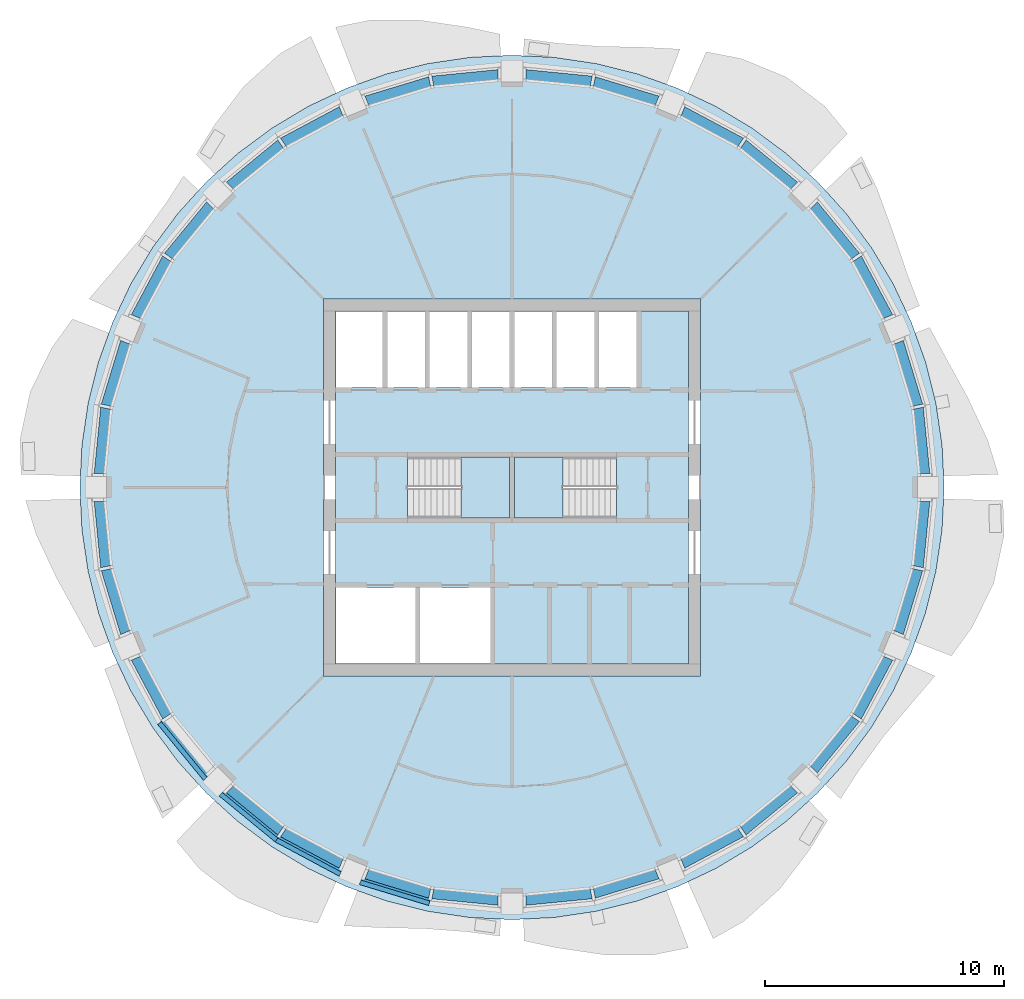
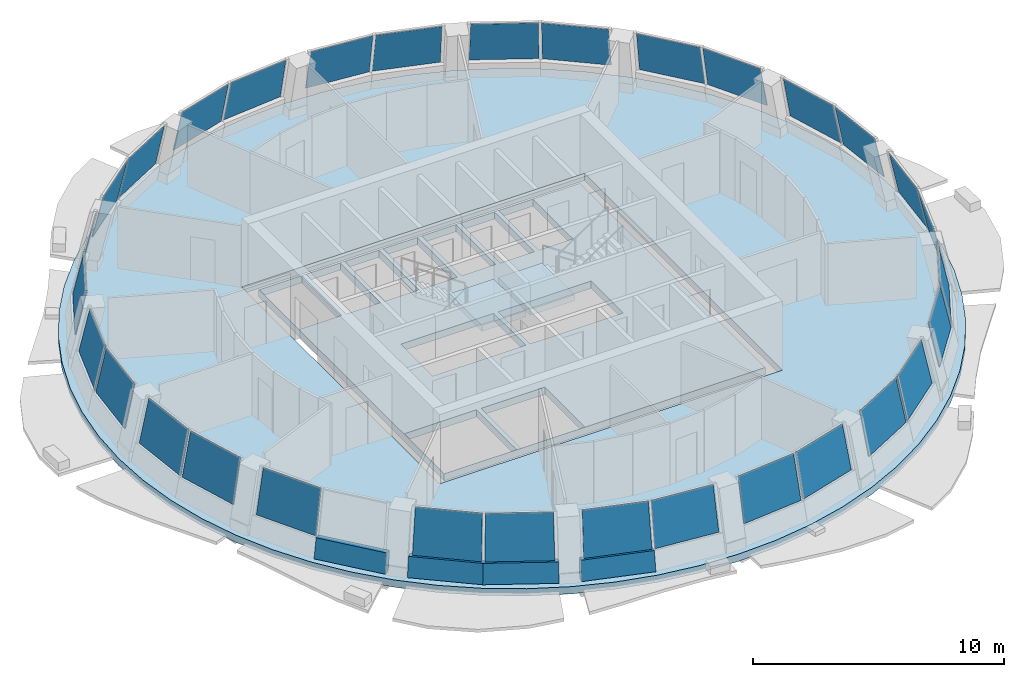
# One storey, part 3 of 11: 31 plates, 4 slabs, 4 walls, 18 elements without a shape of their own.
"""IFC4 building model written with IfcOpenShell, lengths in metres."""

from ifc_helpers import new_model, si_unit, direction, frame, origin, place, context, subcontext, project, spatial, polyline, outline, extrude, material, layer, layer_set, type_object, element, aggregate, save


model = new_model("IFC4")

# Units and contexts
model_context = context("Model", 3, precision=1e-05, world=origin(), true_north=direction((0.0, 1.0)))
body_context = subcontext(model_context, "Body", "Model", "MODEL_VIEW")
ifc_project = project(units=[si_unit("LENGTHUNIT", "METRE"), si_unit("AREAUNIT", "SQUARE_METRE"), si_unit("VOLUMEUNIT", "CUBIC_METRE"), si_unit("PLANEANGLEUNIT", "RADIAN"), si_unit("MASSUNIT", "GRAM", prefix="KILO")], contexts=[model_context])

# Site, building, storey
site_placement = place(None, origin())
site = spatial("IfcSite", under=ifc_project, at=site_placement, CompositionType="ELEMENT")
building_placement = place(site_placement, origin())
building = spatial("IfcBuilding", under=site, at=building_placement, Name="Polderwave Tower", CompositionType="ELEMENT")
storey_placement = place(building_placement, frame((0.0, 0.0, 194.35009765625)))
storey = spatial("IfcBuildingStorey", under=building, at=storey_placement, Name="L52", CompositionType="ELEMENT", Elevation=194.35009765625)

# Slab
ifc_material_1 = material(Name="Concrete C40/50", Category="concrete")
ifc_layer_1 = layer(ifc_material_1, 0.35009765625)
ifc_layer_set_1 = layer_set([ifc_layer_1], Name="Core floor slab 350")
slab_type_1 = type_object("IfcSlabType", Name="Core floor slab 350", PredefinedType="FLOOR", material=ifc_layer_set_1)
slab_1_placement = place(storey_placement, frame((0.0, 0.0, -0.35009765625)))
element("IfcSlab", 1, at=slab_1_placement, inside=storey, type_object=slab_type_1, Name="L52 core floor", PredefinedType="FLOOR", context=body_context, shape_type="SweptSolid", body=[
    extrude(outline(polyline([(-7.3740234375, -7.3740234375), (7.3740234375, -7.3740234375), (7.3740234375, 7.3740234375), (-7.3740234375, 7.3740234375), (-7.3740234375, -7.3740234375)]), holes=[polyline([(-7.35400390625, -7.35400390625), (-4.037109375, -7.35400390625), (-4.037109375, -4.174072265625), (-7.35400390625, -4.174072265625), (-7.35400390625, -7.35400390625)]), polyline([(-3.8369140625, -7.35400390625), (-0.89990234375, -7.35400390625), (-0.89990234375, -4.174072265625), (-3.8369140625, -4.174072265625), (-3.8369140625, -7.35400390625)]), polyline([(-7.35400390625, 4.174072265625), (-5.405517578125, 4.174072265625), (-5.405517578125, 7.35400390625), (-7.35400390625, 7.35400390625), (-7.35400390625, 4.174072265625)]), polyline([(-5.20556640625, 4.174072265625), (-3.636962890625, 4.174072265625), (-3.636962890625, 7.35400390625), (-5.20556640625, 7.35400390625), (-5.20556640625, 4.174072265625)]), polyline([(-3.43701171875, 4.174072265625), (-1.868408203125, 4.174072265625), (-1.868408203125, 7.35400390625), (-3.43701171875, 7.35400390625), (-3.43701171875, 4.174072265625)]), polyline([(-1.66845703125, 4.174072265625), (-0.10009765625, 4.174072265625), (-0.10009765625, 7.35400390625), (-1.66845703125, 7.35400390625), (-1.66845703125, 4.174072265625)]), polyline([(0.10009765625, 4.174072265625), (1.66845703125, 4.174072265625), (1.66845703125, 7.35400390625), (0.10009765625, 7.35400390625), (0.10009765625, 4.174072265625)]), polyline([(1.868408203125, 4.174072265625), (3.43701171875, 4.174072265625), (3.43701171875, 7.35400390625), (1.868408203125, 7.35400390625), (1.868408203125, 4.174072265625)]), polyline([(3.636962890625, 4.174072265625), (5.20556640625, 4.174072265625), (5.20556640625, 7.35400390625), (3.636962890625, 7.35400390625), (3.636962890625, 4.174072265625)]), polyline([(-4.37353515625, -1.2744140625), (-0.1005859375, -1.2744140625), (-0.1005859375, 1.2744140625), (-4.37353515625, 1.2744140625), (-4.37353515625, -1.2744140625)]), polyline([(0.1005859375, -1.2744140625), (4.37353515625, -1.2744140625), (4.37353515625, 1.2744140625), (0.1005859375, 1.2744140625), (0.1005859375, -1.2744140625)])]), origin(), (0.0, 0.0, 1.0), 0.35009765625),
])

# Curtain wall, plates
ifc_material_2 = material(Name="Aluminium 6063-T6 and glass", Category="aluminium")
curtain_wall_type = type_object("IfcCurtainWallType", Name="Office ribbon glazing, leaning storey wall", PredefinedType="NOTDEFINED", material=ifc_material_2)
curtain_wall_1_placement = place(storey_placement, origin())
curtain_wall_1 = element("IfcCurtainWall", 2, at=curtain_wall_1_placement, inside=storey, type_object=curtain_wall_type, Name="CW9 L52 00", PredefinedType="NOTDEFINED")
ifc_material_3 = material(Name="Glass, low-e laminated double glazing", Category="glass")
ifc_layer_2 = layer(ifc_material_3, 0.031982421875)
ifc_layer_set_2 = layer_set([ifc_layer_2], Name="Office ribbon glazing, leaning storey glass panel 32 mm")
plate_type = type_object("IfcPlateType", Name="Office ribbon glazing, leaning storey glass panel 32 mm", PredefinedType="CURTAIN_PANEL", material=ifc_layer_set_2)
plate_1_placement = place(storey_placement, frame((17.45166015625, 0.579345703125, 0.89990234375), z_axis=(0.972493619931, 0.095865555965, 0.212287433385), x_axis=(-0.098101375661, 0.995176426616, -8.45475e-07)))
plate_1 = element("IfcPlate", 3, at=plate_1_placement, type_object=plate_type, Name="CW9 panel 1", PredefinedType="CURTAIN_PANEL", context=body_context, shape_type="SweptSolid", body=[
    extrude(outline(polyline([(0.0, 0.0), (2.7849165611114306, -1.3877787807814457e-17), (2.74126751042643, 2.087624034240502), (0.0436840440473044, 2.08761929080826), (0.0, 0.0)])), origin(), (0.0, 0.0, -1.0), 0.031982421875),
])
plate_2_placement = place(storey_placement, frame((17.1533203125, 3.477783203125, 0.89990234375), z_axis=(0.935043172807, 0.283803233831, 0.212485268792), x_axis=(-0.290436197741, 0.95689435939, 3.154122e-06)))
plate_2 = element("IfcPlate", 4, at=plate_2_placement, type_object=plate_type, Name="CW9 panel 2", PredefinedType="CURTAIN_PANEL", context=body_context, shape_type="SweptSolid", body=[
    extrude(outline(polyline([(0.0, 0.0), (2.7856147888501694, 0.0), (2.741639137118156, 2.0874548293105377), (0.04383378761051157, 2.0877223749095175), (0.0, 0.0)])), origin(), (0.0, 0.0, -1.0), 0.031982421875),
])
aggregate(curtain_wall_1, [plate_1, plate_2])

curtain_wall_2_placement = place(storey_placement, origin())
curtain_wall_2 = element("IfcCurtainWall", 5, at=curtain_wall_2_placement, inside=storey, type_object=curtain_wall_type, Name="CW9 L52 01", PredefinedType="NOTDEFINED")
plate_3_placement = place(storey_placement, frame((15.901123046875, 7.213623046875, 0.89990234375), z_axis=(0.861831744805, 0.460688241769, 0.212161230062), x_axis=(-0.471420299321, 0.881908669528, 1.16588e-07)))
plate_3 = element("IfcPlate", 6, at=plate_3_placement, type_object=plate_type, Name="CW9 panel 1", PredefinedType="CURTAIN_PANEL", context=body_context, shape_type="SweptSolid", body=[
    extrude(outline(polyline([(0.0, 0.0), (2.7846548477119053, -2.7755575615628914e-17), (2.7406966779808313, 2.087562785638196), (0.044076109515598434, 2.0875634395772096), (0.0, 0.0)])), origin(), (0.0, 0.0, -1.0), 0.031982421875),
])
plate_4_placement = place(storey_placement, frame((14.5166015625, 9.777099609375, 0.89990234375), z_axis=(0.755458717073, 0.619862447287, 0.212256150068), x_axis=(-0.634316565283, 0.773073408541, 3.786352e-06)))
plate_4 = element("IfcPlate", 7, at=plate_4_placement, type_object=plate_type, Name="CW9 panel 2", PredefinedType="CURTAIN_PANEL", context=body_context, shape_type="SweptSolid", body=[
    extrude(outline(polyline([(0.0, 0.0), (2.785757772524109, 0.0), (2.74191035904451, 2.0875965215410073), (0.04339822154885898, 2.0876177711078165), (0.0, 0.0)])), origin(), (0.0, 0.0, -1.0), 0.031982421875),
])
aggregate(curtain_wall_2, [plate_3, plate_4])

curtain_wall_3_placement = place(storey_placement, origin())
curtain_wall_3 = element("IfcCurtainWall", 8, at=curtain_wall_3_placement, inside=storey, type_object=curtain_wall_type, Name="CW9 L52 02", PredefinedType="NOTDEFINED")
plate_5_placement = place(storey_placement, frame((11.9306640625, 12.74951171875, 0.89990234375), z_axis=(0.619862447287, 0.755458717073, 0.212256150068), x_axis=(-0.773073408541, 0.634316565283, -3.786352e-06)))
plate_5 = element("IfcPlate", 9, at=plate_5_placement, type_object=plate_type, Name="CW9 panel 1", PredefinedType="CURTAIN_PANEL", context=body_context, shape_type="SweptSolid", body=[
    extrude(outline(polyline([(0.0, 0.0), (2.785757772524109, 0.0), (2.7423595509752503, 2.0876177711078165), (0.04384741347959913, 2.0875965215410073), (0.0, 0.0)])), origin(), (0.0, 0.0, -1.0), 0.031982421875),
])
plate_6_placement = place(storey_placement, frame((9.66943359375, 14.58837890625, 0.89990234375), z_axis=(0.460672840024, 0.861846457418, 0.212134905896), x_axis=(-0.88191812215, 0.471402615397, -4.469319e-06)))
plate_6 = element("IfcPlate", 10, at=plate_6_placement, type_object=plate_type, Name="CW9 panel 2", PredefinedType="CURTAIN_PANEL", context=body_context, shape_type="SweptSolid", body=[
    extrude(outline(polyline([(0.0, 0.0), (2.7846548470943095, 0.0), (2.740578738804127, 2.087563438779256), (0.04374285883362017, 2.087538369686682), (0.0, 0.0)])), origin(), (0.0, 0.0, -1.0), 0.031982421875),
])
aggregate(curtain_wall_3, [plate_5, plate_6])

curtain_wall_4_placement = place(storey_placement, origin())
curtain_wall_4 = element("IfcCurtainWall", 11, at=curtain_wall_4_placement, inside=storey, type_object=curtain_wall_type, Name="CW9 L52 03", PredefinedType="NOTDEFINED")
plate_7_placement = place(storey_placement, frame((6.143310546875, 16.34423828125, 0.89990234375), z_axis=(0.28379062649, 0.935077715032, 0.212350058083), x_axis=(-0.956900630567, 0.290415535326, -7.844336e-06)))
plate_7 = element("IfcPlate", 12, at=plate_7_placement, type_object=plate_type, Name="CW9 panel 1", PredefinedType="CURTAIN_PANEL", context=body_context, shape_type="SweptSolid", body=[
    extrude(outline(polyline([(0.0, 0.0), (2.78561478725643, 0.0), (2.7418519134718062, 2.0876727409726366), (0.04381294347459417, 2.0876287214266354), (0.0, 0.0)])), origin(), (0.0, 0.0, -1.0), 0.031982421875),
])
plate_8_placement = place(storey_placement, frame((3.350830078125, 17.178466796875, 0.89990234375), z_axis=(0.095851139487, 0.972443843437, 0.212521835161), x_axis=(-0.995177333815, 0.09809217226, -1.164897e-06)))
plate_8 = element("IfcPlate", 13, at=plate_8_placement, type_object=plate_type, Name="CW9 panel 2", PredefinedType="CURTAIN_PANEL", context=body_context, shape_type="SweptSolid", body=[
    extrude(outline(polyline([(0.0, 0.0), (2.784916561091682, 6.938893903907228e-18), (2.741184617912413, 2.0874839344969565), (0.04360115147465906, 2.087727246720933), (0.0, 0.0)])), origin(), (0.0, 0.0, -1.0), 0.031982421875),
])
aggregate(curtain_wall_4, [plate_7, plate_8])

curtain_wall_5_placement = place(storey_placement, origin())
curtain_wall_5 = element("IfcCurtainWall", 14, at=curtain_wall_5_placement, inside=storey, type_object=curtain_wall_type, Name="CW9 L52 04", PredefinedType="NOTDEFINED")
plate_9_placement = place(storey_placement, frame((-0.579345703125, 17.45166015625, 0.89990234375), z_axis=(-0.095865555965, 0.972493619931, 0.212287433385), x_axis=(-0.995176426616, -0.098101375661, -8.45475e-07)))
plate_9 = element("IfcPlate", 15, at=plate_9_placement, type_object=plate_type, Name="CW9 panel 1", PredefinedType="CURTAIN_PANEL", context=body_context, shape_type="SweptSolid", body=[
    extrude(outline(polyline([(0.0, 0.0), (2.7849165611114306, -1.3877787807814457e-17), (2.74126751042643, 2.087624034240502), (0.0436840440473044, 2.08761929080826), (0.0, 0.0)])), origin(), (0.0, 0.0, -1.0), 0.031982421875),
])
plate_10_placement = place(storey_placement, frame((-3.477783203125, 17.1533203125, 0.89990234375), z_axis=(-0.283803233831, 0.935043172807, 0.212485268792), x_axis=(-0.95689435939, -0.290436197741, 3.154122e-06)))
plate_10 = element("IfcPlate", 16, at=plate_10_placement, type_object=plate_type, Name="CW9 panel 2", PredefinedType="CURTAIN_PANEL", context=body_context, shape_type="SweptSolid", body=[
    extrude(outline(polyline([(0.0, 0.0), (2.7856147888501694, 0.0), (2.741639137118156, 2.0874548293105377), (0.04383378761051157, 2.0877223749095175), (0.0, 0.0)])), origin(), (0.0, 0.0, -1.0), 0.031982421875),
])
aggregate(curtain_wall_5, [plate_9, plate_10])

curtain_wall_6_placement = place(storey_placement, origin())
curtain_wall_6 = element("IfcCurtainWall", 17, at=curtain_wall_6_placement, inside=storey, type_object=curtain_wall_type, Name="CW9 L52 05", PredefinedType="NOTDEFINED")
plate_11_placement = place(storey_placement, frame((-7.213623046875, 15.901123046875, 0.89990234375), z_axis=(-0.460688241769, 0.861831744805, 0.212161230062), x_axis=(-0.881908669528, -0.471420299321, 1.16588e-07)))
plate_11 = element("IfcPlate", 18, at=plate_11_placement, type_object=plate_type, Name="CW9 panel 1", PredefinedType="CURTAIN_PANEL", context=body_context, shape_type="SweptSolid", body=[
    extrude(outline(polyline([(0.0, 0.0), (2.7846548477119053, -2.7755575615628914e-17), (2.7406966779808313, 2.087562785638196), (0.044076109515598434, 2.0875634395772096), (0.0, 0.0)])), origin(), (0.0, 0.0, -1.0), 0.031982421875),
])
plate_12_placement = place(storey_placement, frame((-9.777099609375, 14.5166015625, 0.89990234375), z_axis=(-0.619862447287, 0.755458717073, 0.212256150068), x_axis=(-0.773073408541, -0.634316565283, 3.786352e-06)))
plate_12 = element("IfcPlate", 19, at=plate_12_placement, type_object=plate_type, Name="CW9 panel 2", PredefinedType="CURTAIN_PANEL", context=body_context, shape_type="SweptSolid", body=[
    extrude(outline(polyline([(0.0, 0.0), (2.785757772524109, 0.0), (2.74191035904451, 2.0875965215410073), (0.04339822154885898, 2.0876177711078165), (0.0, 0.0)])), origin(), (0.0, 0.0, -1.0), 0.031982421875),
])
aggregate(curtain_wall_6, [plate_11, plate_12])

curtain_wall_7_placement = place(storey_placement, origin())
curtain_wall_7 = element("IfcCurtainWall", 20, at=curtain_wall_7_placement, inside=storey, type_object=curtain_wall_type, Name="CW9 L52 06", PredefinedType="NOTDEFINED")
plate_13_placement = place(storey_placement, frame((-12.74951171875, 11.9306640625, 0.89990234375), z_axis=(-0.755458717073, 0.619862447287, 0.212256150068), x_axis=(-0.634316565283, -0.773073408541, -3.786352e-06)))
plate_13 = element("IfcPlate", 21, at=plate_13_placement, type_object=plate_type, Name="CW9 panel 1", PredefinedType="CURTAIN_PANEL", context=body_context, shape_type="SweptSolid", body=[
    extrude(outline(polyline([(0.0, 0.0), (2.785757772524109, 0.0), (2.7423595509752503, 2.0876177711078165), (0.04384741347959913, 2.0875965215410073), (0.0, 0.0)])), origin(), (0.0, 0.0, -1.0), 0.031982421875),
])
plate_14_placement = place(storey_placement, frame((-14.58837890625, 9.66943359375, 0.89990234375), z_axis=(-0.861846457418, 0.460672840024, 0.212134905896), x_axis=(-0.471402615397, -0.88191812215, -4.469319e-06)))
plate_14 = element("IfcPlate", 22, at=plate_14_placement, type_object=plate_type, Name="CW9 panel 2", PredefinedType="CURTAIN_PANEL", context=body_context, shape_type="SweptSolid", body=[
    extrude(outline(polyline([(0.0, 0.0), (2.7846548470943095, 0.0), (2.740578738804127, 2.087563438779256), (0.04374285883362017, 2.087538369686682), (0.0, 0.0)])), origin(), (0.0, 0.0, -1.0), 0.031982421875),
])
aggregate(curtain_wall_7, [plate_13, plate_14])

curtain_wall_8_placement = place(storey_placement, origin())
curtain_wall_8 = element("IfcCurtainWall", 23, at=curtain_wall_8_placement, inside=storey, type_object=curtain_wall_type, Name="CW9 L52 07", PredefinedType="NOTDEFINED")
plate_15_placement = place(storey_placement, frame((-16.34423828125, 6.143310546875, 0.89990234375), z_axis=(-0.935077715032, 0.28379062649, 0.212350058083), x_axis=(-0.290415535326, -0.956900630567, -7.844336e-06)))
plate_15 = element("IfcPlate", 24, at=plate_15_placement, type_object=plate_type, Name="CW9 panel 1", PredefinedType="CURTAIN_PANEL", context=body_context, shape_type="SweptSolid", body=[
    extrude(outline(polyline([(0.0, 0.0), (2.78561478725643, 0.0), (2.7418519134718062, 2.0876727409726366), (0.04381294347459417, 2.0876287214266354), (0.0, 0.0)])), origin(), (0.0, 0.0, -1.0), 0.031982421875),
])
plate_16_placement = place(storey_placement, frame((-17.178466796875, 3.350830078125, 0.89990234375), z_axis=(-0.972443843437, 0.095851139487, 0.212521835161), x_axis=(-0.09809217226, -0.995177333815, -1.164897e-06)))
plate_16 = element("IfcPlate", 25, at=plate_16_placement, type_object=plate_type, Name="CW9 panel 2", PredefinedType="CURTAIN_PANEL", context=body_context, shape_type="SweptSolid", body=[
    extrude(outline(polyline([(0.0, 0.0), (2.784916561091682, 6.938893903907228e-18), (2.741184617912413, 2.0874839344969565), (0.04360115147465906, 2.087727246720933), (0.0, 0.0)])), origin(), (0.0, 0.0, -1.0), 0.031982421875),
])
aggregate(curtain_wall_8, [plate_15, plate_16])

curtain_wall_9_placement = place(storey_placement, origin())
curtain_wall_9 = element("IfcCurtainWall", 26, at=curtain_wall_9_placement, inside=storey, type_object=curtain_wall_type, Name="CW9 L52 08", PredefinedType="NOTDEFINED")
plate_17_placement = place(storey_placement, frame((-17.45166015625, -0.579345703125, 0.89990234375), z_axis=(-0.972493619931, -0.095865555965, 0.212287433385), x_axis=(0.098101375661, -0.995176426616, -8.45475e-07)))
plate_17 = element("IfcPlate", 27, at=plate_17_placement, type_object=plate_type, Name="CW9 panel 1", PredefinedType="CURTAIN_PANEL", context=body_context, shape_type="SweptSolid", body=[
    extrude(outline(polyline([(0.0, 0.0), (2.7849165611114306, -1.3877787807814457e-17), (2.74126751042643, 2.087624034240502), (0.0436840440473044, 2.08761929080826), (0.0, 0.0)])), origin(), (0.0, 0.0, -1.0), 0.031982421875),
])
plate_18_placement = place(storey_placement, frame((-17.1533203125, -3.477783203125, 0.89990234375), z_axis=(-0.935043172807, -0.283803233831, 0.212485268792), x_axis=(0.290436197741, -0.95689435939, 3.154122e-06)))
plate_18 = element("IfcPlate", 28, at=plate_18_placement, type_object=plate_type, Name="CW9 panel 2", PredefinedType="CURTAIN_PANEL", context=body_context, shape_type="SweptSolid", body=[
    extrude(outline(polyline([(0.0, 0.0), (2.7856147888501694, 0.0), (2.741639137118156, 2.0874548293105377), (0.04383378761051157, 2.0877223749095175), (0.0, 0.0)])), origin(), (0.0, 0.0, -1.0), 0.031982421875),
])
aggregate(curtain_wall_9, [plate_17, plate_18])

# Curtain wall, plate
curtain_wall_10_placement = place(storey_placement, origin())
curtain_wall_10 = element("IfcCurtainWall", 29, at=curtain_wall_10_placement, inside=storey, type_object=curtain_wall_type, Name="CW9 L52 09", PredefinedType="NOTDEFINED")
plate_19_placement = place(storey_placement, frame((-15.901123046875, -7.213623046875, 0.89990234375), z_axis=(-0.861831744805, -0.460688241769, 0.212161230062), x_axis=(0.471420299321, -0.881908669528, 1.16588e-07)))
plate_19 = element("IfcPlate", 30, at=plate_19_placement, type_object=plate_type, Name="CW9 panel 1", PredefinedType="CURTAIN_PANEL", context=body_context, shape_type="SweptSolid", body=[
    extrude(outline(polyline([(0.0, 0.0), (2.7846548477119053, -2.7755575615628914e-17), (2.7406966779808313, 2.087562785638196), (0.044076109515598434, 2.0875634395772096), (0.0, 0.0)])), origin(), (0.0, 0.0, -1.0), 0.031982421875),
])
aggregate(curtain_wall_10, [plate_19])

# Curtain wall, plates
curtain_wall_11_placement = place(storey_placement, origin())
curtain_wall_11 = element("IfcCurtainWall", 31, at=curtain_wall_11_placement, inside=storey, type_object=curtain_wall_type, Name="CW9 L52 10", PredefinedType="NOTDEFINED")
plate_20_placement = place(storey_placement, frame((-11.9306640625, -12.74951171875, 0.89990234375), z_axis=(-0.619862447287, -0.755458717073, 0.212256150068), x_axis=(0.773073408541, -0.634316565283, -3.786352e-06)))
plate_20 = element("IfcPlate", 32, at=plate_20_placement, type_object=plate_type, Name="CW9 panel 1", PredefinedType="CURTAIN_PANEL", context=body_context, shape_type="SweptSolid", body=[
    extrude(outline(polyline([(0.0, 0.0), (2.785757772524109, 0.0), (2.7423595509752503, 2.0876177711078165), (0.04384741347959913, 2.0875965215410073), (0.0, 0.0)])), origin(), (0.0, 0.0, -1.0), 0.031982421875),
])
plate_21_placement = place(storey_placement, frame((-9.66943359375, -14.58837890625, 0.89990234375), z_axis=(-0.460672840024, -0.861846457418, 0.212134905896), x_axis=(0.88191812215, -0.471402615397, -4.469319e-06)))
plate_21 = element("IfcPlate", 33, at=plate_21_placement, type_object=plate_type, Name="CW9 panel 2", PredefinedType="CURTAIN_PANEL", context=body_context, shape_type="SweptSolid", body=[
    extrude(outline(polyline([(0.0, 0.0), (2.7846548470943095, 0.0), (2.740578738804127, 2.087563438779256), (0.04374285883362017, 2.087538369686682), (0.0, 0.0)])), origin(), (0.0, 0.0, -1.0), 0.031982421875),
])
aggregate(curtain_wall_11, [plate_20, plate_21])

curtain_wall_12_placement = place(storey_placement, origin())
curtain_wall_12 = element("IfcCurtainWall", 34, at=curtain_wall_12_placement, inside=storey, type_object=curtain_wall_type, Name="CW9 L52 11", PredefinedType="NOTDEFINED")
plate_22_placement = place(storey_placement, frame((-6.143310546875, -16.34423828125, 0.89990234375), z_axis=(-0.28379062649, -0.935077715032, 0.212350058083), x_axis=(0.956900630567, -0.290415535326, -7.844336e-06)))
plate_22 = element("IfcPlate", 35, at=plate_22_placement, type_object=plate_type, Name="CW9 panel 1", PredefinedType="CURTAIN_PANEL", context=body_context, shape_type="SweptSolid", body=[
    extrude(outline(polyline([(0.0, 0.0), (2.78561478725643, 0.0), (2.7418519134718062, 2.0876727409726366), (0.04381294347459417, 2.0876287214266354), (0.0, 0.0)])), origin(), (0.0, 0.0, -1.0), 0.031982421875),
])
plate_23_placement = place(storey_placement, frame((-3.350830078125, -17.178466796875, 0.89990234375), z_axis=(-0.095851139487, -0.972443843437, 0.212521835161), x_axis=(0.995177333815, -0.09809217226, -1.164897e-06)))
plate_23 = element("IfcPlate", 36, at=plate_23_placement, type_object=plate_type, Name="CW9 panel 2", PredefinedType="CURTAIN_PANEL", context=body_context, shape_type="SweptSolid", body=[
    extrude(outline(polyline([(0.0, 0.0), (2.784916561091682, 6.938893903907228e-18), (2.741184617912413, 2.0874839344969565), (0.04360115147465906, 2.087727246720933), (0.0, 0.0)])), origin(), (0.0, 0.0, -1.0), 0.031982421875),
])
aggregate(curtain_wall_12, [plate_22, plate_23])

curtain_wall_13_placement = place(storey_placement, origin())
curtain_wall_13 = element("IfcCurtainWall", 37, at=curtain_wall_13_placement, inside=storey, type_object=curtain_wall_type, Name="CW9 L52 12", PredefinedType="NOTDEFINED")
plate_24_placement = place(storey_placement, frame((0.579345703125, -17.45166015625, 0.89990234375), z_axis=(0.095865555965, -0.972493619931, 0.212287433385), x_axis=(0.995176426616, 0.098101375661, -8.45475e-07)))
plate_24 = element("IfcPlate", 38, at=plate_24_placement, type_object=plate_type, Name="CW9 panel 1", PredefinedType="CURTAIN_PANEL", context=body_context, shape_type="SweptSolid", body=[
    extrude(outline(polyline([(0.0, 0.0), (2.7849165611114306, -1.3877787807814457e-17), (2.74126751042643, 2.087624034240502), (0.0436840440473044, 2.08761929080826), (0.0, 0.0)])), origin(), (0.0, 0.0, -1.0), 0.031982421875),
])
plate_25_placement = place(storey_placement, frame((3.477783203125, -17.1533203125, 0.89990234375), z_axis=(0.283803233831, -0.935043172807, 0.212485268792), x_axis=(0.95689435939, 0.290436197741, 3.154122e-06)))
plate_25 = element("IfcPlate", 39, at=plate_25_placement, type_object=plate_type, Name="CW9 panel 2", PredefinedType="CURTAIN_PANEL", context=body_context, shape_type="SweptSolid", body=[
    extrude(outline(polyline([(0.0, 0.0), (2.7856147888501694, 0.0), (2.741639137118156, 2.0874548293105377), (0.04383378761051157, 2.0877223749095175), (0.0, 0.0)])), origin(), (0.0, 0.0, -1.0), 0.031982421875),
])
aggregate(curtain_wall_13, [plate_24, plate_25])

curtain_wall_14_placement = place(storey_placement, origin())
curtain_wall_14 = element("IfcCurtainWall", 40, at=curtain_wall_14_placement, inside=storey, type_object=curtain_wall_type, Name="CW9 L52 13", PredefinedType="NOTDEFINED")
plate_26_placement = place(storey_placement, frame((7.213623046875, -15.901123046875, 0.89990234375), z_axis=(0.460688241769, -0.861831744805, 0.212161230062), x_axis=(0.881908669528, 0.471420299321, 1.16588e-07)))
plate_26 = element("IfcPlate", 41, at=plate_26_placement, type_object=plate_type, Name="CW9 panel 1", PredefinedType="CURTAIN_PANEL", context=body_context, shape_type="SweptSolid", body=[
    extrude(outline(polyline([(0.0, 0.0), (2.7846548477119053, -2.7755575615628914e-17), (2.7406966779808313, 2.087562785638196), (0.044076109515598434, 2.0875634395772096), (0.0, 0.0)])), origin(), (0.0, 0.0, -1.0), 0.031982421875),
])
plate_27_placement = place(storey_placement, frame((9.777099609375, -14.5166015625, 0.89990234375), z_axis=(0.619862447287, -0.755458717073, 0.212256150068), x_axis=(0.773073408541, 0.634316565283, 3.786352e-06)))
plate_27 = element("IfcPlate", 42, at=plate_27_placement, type_object=plate_type, Name="CW9 panel 2", PredefinedType="CURTAIN_PANEL", context=body_context, shape_type="SweptSolid", body=[
    extrude(outline(polyline([(0.0, 0.0), (2.785757772524109, 0.0), (2.74191035904451, 2.0875965215410073), (0.04339822154885898, 2.0876177711078165), (0.0, 0.0)])), origin(), (0.0, 0.0, -1.0), 0.031982421875),
])
aggregate(curtain_wall_14, [plate_26, plate_27])

curtain_wall_15_placement = place(storey_placement, origin())
curtain_wall_15 = element("IfcCurtainWall", 43, at=curtain_wall_15_placement, inside=storey, type_object=curtain_wall_type, Name="CW9 L52 14", PredefinedType="NOTDEFINED")
plate_28_placement = place(storey_placement, frame((12.74951171875, -11.9306640625, 0.89990234375), z_axis=(0.755458717073, -0.619862447287, 0.212256150068), x_axis=(0.634316565283, 0.773073408541, -3.786352e-06)))
plate_28 = element("IfcPlate", 44, at=plate_28_placement, type_object=plate_type, Name="CW9 panel 1", PredefinedType="CURTAIN_PANEL", context=body_context, shape_type="SweptSolid", body=[
    extrude(outline(polyline([(0.0, 0.0), (2.785757772524109, 0.0), (2.7423595509752503, 2.0876177711078165), (0.04384741347959913, 2.0875965215410073), (0.0, 0.0)])), origin(), (0.0, 0.0, -1.0), 0.031982421875),
])
plate_29_placement = place(storey_placement, frame((14.58837890625, -9.66943359375, 0.89990234375), z_axis=(0.861846457418, -0.460672840024, 0.212134905896), x_axis=(0.471402615397, 0.88191812215, -4.469319e-06)))
plate_29 = element("IfcPlate", 45, at=plate_29_placement, type_object=plate_type, Name="CW9 panel 2", PredefinedType="CURTAIN_PANEL", context=body_context, shape_type="SweptSolid", body=[
    extrude(outline(polyline([(0.0, 0.0), (2.7846548470943095, 0.0), (2.740578738804127, 2.087563438779256), (0.04374285883362017, 2.087538369686682), (0.0, 0.0)])), origin(), (0.0, 0.0, -1.0), 0.031982421875),
])
aggregate(curtain_wall_15, [plate_28, plate_29])

curtain_wall_16_placement = place(storey_placement, origin())
curtain_wall_16 = element("IfcCurtainWall", 46, at=curtain_wall_16_placement, inside=storey, type_object=curtain_wall_type, Name="CW9 L52 15", PredefinedType="NOTDEFINED")
plate_30_placement = place(storey_placement, frame((16.34423828125, -6.143310546875, 0.89990234375), z_axis=(0.935077715032, -0.28379062649, 0.212350058083), x_axis=(0.290415535326, 0.956900630567, -7.844336e-06)))
plate_30 = element("IfcPlate", 47, at=plate_30_placement, type_object=plate_type, Name="CW9 panel 1", PredefinedType="CURTAIN_PANEL", context=body_context, shape_type="SweptSolid", body=[
    extrude(outline(polyline([(0.0, 0.0), (2.78561478725643, 0.0), (2.7418519134718062, 2.0876727409726366), (0.04381294347459417, 2.0876287214266354), (0.0, 0.0)])), origin(), (0.0, 0.0, -1.0), 0.031982421875),
])
plate_31_placement = place(storey_placement, frame((17.178466796875, -3.350830078125, 0.89990234375), z_axis=(0.972443843437, -0.095851139487, 0.212521835161), x_axis=(0.09809217226, 0.995177333815, -1.164897e-06)))
plate_31 = element("IfcPlate", 48, at=plate_31_placement, type_object=plate_type, Name="CW9 panel 2", PredefinedType="CURTAIN_PANEL", context=body_context, shape_type="SweptSolid", body=[
    extrude(outline(polyline([(0.0, 0.0), (2.784916561091682, 6.938893903907228e-18), (2.741184617912413, 2.0874839344969565), (0.04360115147465906, 2.087727246720933), (0.0, 0.0)])), origin(), (0.0, 0.0, -1.0), 0.031982421875),
])
aggregate(curtain_wall_16, [plate_30, plate_31])

# Slab
ifc_layer_3 = layer(ifc_material_1, 0.35009765625)
ifc_layer_set_3 = layer_set([ifc_layer_3], Name="PT FLOOR SLAB 350 C40/50")
slab_type_2 = type_object("IfcSlabType", Name="PT FLOOR SLAB 350 C40/50", PredefinedType="FLOOR", material=ifc_layer_set_3)
slab_2_placement = place(storey_placement, frame((0.0, 0.0, -0.35009765625)))
element("IfcSlab", 49, at=slab_2_placement, inside=storey, type_object=slab_type_2, Name="ST-SLAB-L52", PredefinedType="FLOOR", context=body_context, shape_type="SweptSolid", body=[
    extrude(outline(polyline([(18.050048828125, 0.0), (17.963134765625, 1.769287109375), (17.703125, 3.521484375), (17.272705078125, 5.239501953125), (16.676025390625, 6.907470703125), (15.918701171875, 8.5087890625), (15.008056640625, 10.028076171875), (13.952880859375, 11.45068359375), (12.76318359375, 12.76318359375), (11.45068359375, 13.952880859375), (10.028076171875, 15.008056640625), (8.5087890625, 15.918701171875), (6.907470703125, 16.676025390625), (5.239501953125, 17.272705078125), (3.521484375, 17.703125), (1.769287109375, 17.963134765625), (0.0, 18.050048828125), (-1.769287109375, 17.963134765625), (-3.521484375, 17.703125), (-5.239501953125, 17.272705078125), (-6.907470703125, 16.676025390625), (-8.5087890625, 15.918701171875), (-10.028076171875, 15.008056640625), (-11.45068359375, 13.952880859375), (-12.76318359375, 12.76318359375), (-13.952880859375, 11.45068359375), (-15.008056640625, 10.028076171875), (-15.918701171875, 8.5087890625), (-16.676025390625, 6.907470703125), (-17.272705078125, 5.239501953125), (-17.703125, 3.521484375), (-17.963134765625, 1.769287109375), (-18.050048828125, 0.0), (-17.963134765625, -1.769287109375), (-17.703125, -3.521484375), (-17.272705078125, -5.239501953125), (-16.676025390625, -6.907470703125), (-15.918701171875, -8.5087890625), (-15.008056640625, -10.028076171875), (-13.952880859375, -11.45068359375), (-12.76318359375, -12.76318359375), (-11.45068359375, -13.952880859375), (-10.028076171875, -15.008056640625), (-8.5087890625, -15.918701171875), (-6.907470703125, -16.676025390625), (-5.239501953125, -17.272705078125), (-3.521484375, -17.703125), (-1.769287109375, -17.963134765625), (0.0, -18.050048828125), (1.769287109375, -17.963134765625), (3.521484375, -17.703125), (5.239501953125, -17.272705078125), (6.907470703125, -16.676025390625), (8.5087890625, -15.918701171875), (10.028076171875, -15.008056640625), (11.45068359375, -13.952880859375), (12.76318359375, -12.76318359375), (13.952880859375, -11.45068359375), (15.008056640625, -10.028076171875), (15.918701171875, -8.5087890625), (16.676025390625, -6.907470703125), (17.272705078125, -5.239501953125), (17.703125, -3.521484375), (17.963134765625, -1.769287109375), (18.050048828125, 0.0)]), holes=[polyline([(-7.8740234375, -7.8740234375), (7.8740234375, -7.8740234375), (7.8740234375, 7.8740234375), (-7.8740234375, 7.8740234375), (-7.8740234375, -7.8740234375)])]), origin(), (0.0, 0.0, 1.0), 0.35009765625),
])

# Stair, slab
stair_type = type_object("IfcStairType", Name="Exit stair 1200 x 20 risers", PredefinedType="HALF_TURN_STAIR", material=ifc_material_1)
stair_1_placement = place(storey_placement, origin())
stair_1 = element("IfcStair", 50, at=stair_1_placement, inside=storey, type_object=stair_type, Name="L52 Exit stair A", PredefinedType="HALF_TURN_STAIR")
ifc_layer_4 = layer(ifc_material_1, 0.300048828125)
ifc_layer_set_4 = layer_set([ifc_layer_4], Name="Stair landing 300")
slab_type_3 = type_object("IfcSlabType", Name="Stair landing 300", PredefinedType="LANDING", material=ifc_layer_set_4)
slab_3_placement = place(storey_placement, frame((0.0, 0.0, 1.375)))
slab_3 = element("IfcSlab", 51, at=slab_3_placement, type_object=slab_type_3, Name="ST-A landing 1", PredefinedType="LANDING", context=body_context, shape_type="SweptSolid", body=[
    extrude(outline(polyline([(-2.1240234375, -1.27490234375), (-0.10009765625, -1.27490234375), (-0.10009765625, 1.27490234375), (-2.1240234375, 1.27490234375), (-2.1240234375, -1.27490234375)])), origin(), (0.0, 0.0, 1.0), 0.2998046875),
])
aggregate(stair_1, [slab_3])

stair_2_placement = place(storey_placement, origin())
stair_2 = element("IfcStair", 52, at=stair_2_placement, inside=storey, type_object=stair_type, Name="L52 Exit stair B", PredefinedType="HALF_TURN_STAIR")
slab_4_placement = place(storey_placement, frame((0.0, 0.0, 1.375)))
slab_4 = element("IfcSlab", 53, at=slab_4_placement, type_object=slab_type_3, Name="ST-B landing 1", PredefinedType="LANDING", context=body_context, shape_type="SweptSolid", body=[
    extrude(outline(polyline([(2.1240234375, 1.27490234375), (0.10009765625, 1.27490234375), (0.10009765625, -1.27490234375), (2.1240234375, -1.27490234375), (2.1240234375, 1.27490234375)])), origin(), (0.0, 0.0, 1.0), 0.2998046875),
])
aggregate(stair_2, [slab_4])

# Walls
ifc_material_4 = material(Name="Concrete C50/60 (board-marked)", Category="concrete")
ifc_layer_5 = layer(ifc_material_4, 0.300048828125)
ifc_layer_set_5 = layer_set([ifc_layer_5], Name="Concrete spandrel upstand C50/60")
wall_type = type_object("IfcWallType", Name="Concrete spandrel upstand C50/60", PredefinedType="SOLIDWALL", material=ifc_layer_set_5)
wall_1_placement = place(storey_placement, frame((-14.80419921875, -9.8916015625, 0.0), z_axis=(-0.755497688388, -0.619802269372, 0.212293169277), x_axis=(0.634259472964, -0.773120249997, -5.64234e-07)))
element("IfcWall", 54, at=wall_1_placement, inside=storey, type_object=wall_type, Name="Spandrel L52 10b", PredefinedType="SOLIDWALL", context=body_context, shape_type="SweptSolid", body=[
    extrude(outline(polyline([(0.0, 0.0), (3.0362768375144626, 0.0), (3.01698634388749, 0.9208949038144901), (0.019221864233381108, 0.9208914197913123), (0.0, 0.0)])), origin(), (0.0, 0.0, -1.0), 0.300048828125),
])
wall_2_placement = place(storey_placement, frame((-12.239013671875, -12.87841796875, 0.0), z_axis=(-0.619771818159, -0.755500106736, 0.212373449702), x_axis=(0.773135791887, -0.634240527939, -4.761105e-06)))
element("IfcWall", 55, at=wall_2_placement, inside=storey, type_object=wall_type, Name="Spandrel L52 11a", PredefinedType="SOLIDWALL", context=body_context, shape_type="SweptSolid", body=[
    extrude(outline(polyline([(0.0, 0.0), (3.0362768367621835, 0.0), (3.0172437244918555, 0.9209243016317832), (0.01929049212719335, 0.9208949013655712), (0.0, 0.0)])), origin(), (0.0, 0.0, -1.0), 0.300048828125),
])
wall_3_placement = place(storey_placement, frame((-9.8916015625, -14.80419921875, 0.0), z_axis=(-0.460754770514, -0.861789394807, 0.212188784921), x_axis=(0.881871384263, -0.471490043987, 6.256758e-06)))
element("IfcWall", 56, at=wall_3_placement, inside=storey, type_object=wall_type, Name="Spandrel L52 11b", PredefinedType="SOLIDWALL", context=body_context, shape_type="SweptSolid", body=[
    extrude(outline(polyline([(0.0, 0.0), (3.03554549958396, 5.551115123125783e-17), (3.016121787351928, 0.9208524867681933), (0.01923650677477023, 0.9208911097248913), (0.0, 0.0)])), origin(), (0.0, 0.0, -1.0), 0.300048828125),
])
wall_4_placement = place(storey_placement, frame((-6.37890625, -16.581298828125, 0.0), z_axis=(-0.283813796785, -0.935106755918, 0.212191149183), x_axis=(0.95689711006, -0.290427135022, 1.064503e-06)))
element("IfcWall", 57, at=wall_4_placement, inside=storey, type_object=wall_type, Name="Spandrel L52 12a", PredefinedType="SOLIDWALL", context=body_context, shape_type="SweptSolid", body=[
    extrude(outline(polyline([(0.0, 0.0), (3.036390458624818, -2.7755575615628914e-17), (3.0168916459767527, 0.9208689950614573), (0.01927267390959606, 0.9208755679572916), (0.0, 0.0)])), origin(), (0.0, 0.0, -1.0), 0.300048828125),
])

save(model, "model.ifc")
